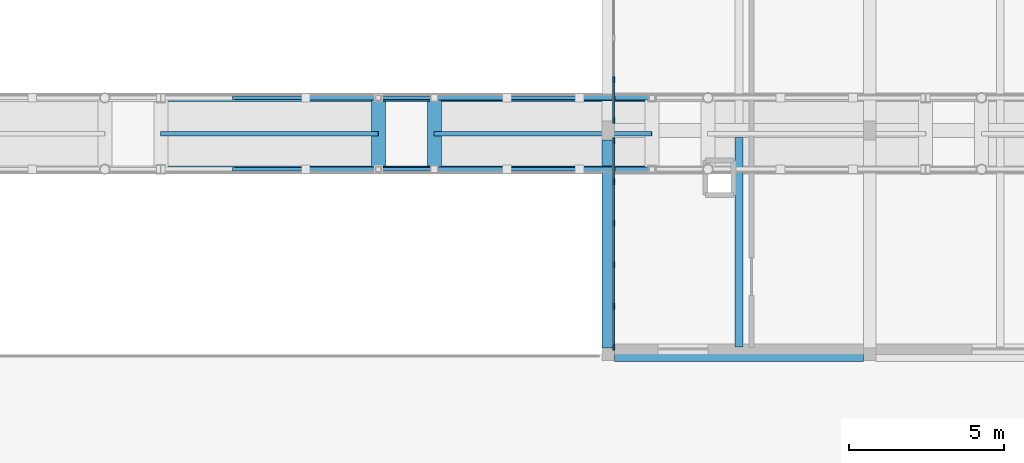
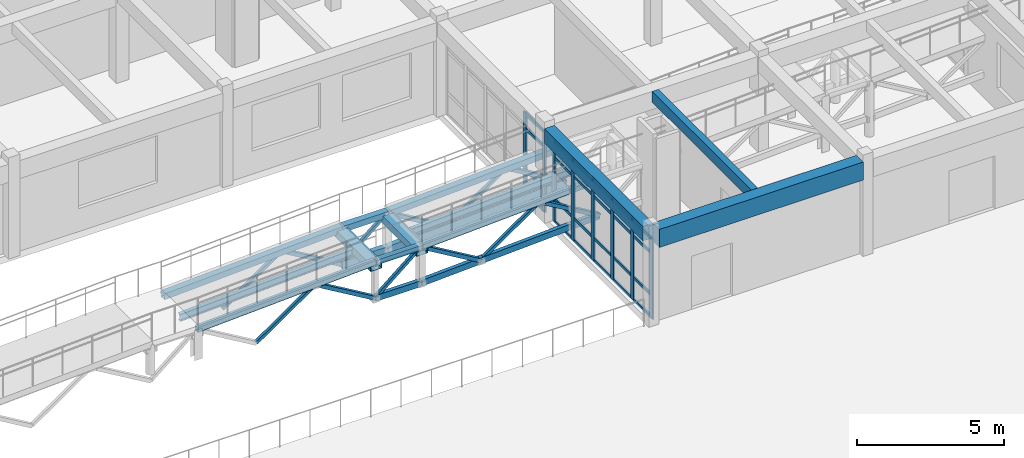
# One storey, part 32 of 90: 54 members, 7 beams, 2 elements without a shape of their own.
"""IFC4 building model written with IfcOpenShell, lengths in metres."""

from ifc_helpers import new_model, si_unit, direction, frame, origin, origin_2d, place, context, subcontext, project, spatial, rectangle, hollow_rectangle, i_section, extrude, material, material_profile, profile_set, type_object, element, aggregate, save


model = new_model("IFC4")

# Units and contexts
model_context = context("Model", 3, precision=1e-05, world=origin(), true_north=direction((0.0, 1.0)))
body_context = subcontext(model_context, "Body", "Model", "MODEL_VIEW")
ifc_project = project(units=[si_unit("LENGTHUNIT", "METRE"), si_unit("AREAUNIT", "SQUARE_METRE"), si_unit("VOLUMEUNIT", "CUBIC_METRE"), si_unit("PLANEANGLEUNIT", "RADIAN"), si_unit("MASSUNIT", "GRAM", prefix="KILO")], contexts=[model_context])

# Site, building, storey
site_placement = place(None, origin())
site = spatial("IfcSite", under=ifc_project, at=site_placement, CompositionType="ELEMENT")
building_placement = place(site_placement, origin())
building = spatial("IfcBuilding", under=site, at=building_placement, Name="Malvenik Polytechnic", CompositionType="ELEMENT")
storey_placement = place(building_placement, frame((0.0, 0.0, 9.300048828125)))
storey = spatial("IfcBuildingStorey", under=building, at=storey_placement, Name="L02", CompositionType="ELEMENT", Elevation=9.300048828125)

# Curtain wall, members
ifc_material_1 = material(Name="Anodised aluminium 6060-T6", Category="aluminium")
curtain_wall_type = type_object("IfcCurtainWallType", Name="ARC-CW-CW-06", PredefinedType="NOTDEFINED", material=ifc_material_1)
curtain_wall_1_placement = place(storey_placement, origin())
curtain_wall_1 = element("IfcCurtainWall", 1, at=curtain_wall_1_placement, inside=storey, type_object=curtain_wall_type, Name="Unitised Curtain Wall CW-06 L02 #136", PredefinedType="NOTDEFINED")
ifc_material_2 = material(Name="Anodised aluminium", Category="aluminium")
ifc_material_profile_1 = material_profile(ifc_material_2, rectangle(XDim=0.06005859375, YDim=0.179931640625, at=origin_2d()), Name="ALU MULLION 60x180")
ifc_profile_set_1 = profile_set([ifc_material_profile_1], Name="Anodised aluminium")
member_type_1 = type_object("IfcMemberType", Name="ARC-CWM-180", PredefinedType="MULLION", material=ifc_profile_set_1)
member_1_placement = place(storey_placement, frame((75.77001953125, 43.528076171875, 0.0), z_axis=(0.0, 0.0, 1.0), x_axis=(-1.0, 0.0, 0.0)))
member_1 = element("IfcMember", 2, at=member_1_placement, type_object=member_type_1, Name="CW-06 mullion 1", PredefinedType="MULLION", context=body_context, shape_type="SweptSolid", body=[
    extrude(rectangle(XDim=0.06005859375, YDim=0.179931640625, at=origin_2d()), origin(), (0.0, 0.0, 1.0), 3.329833984375),
])
member_2_placement = place(storey_placement, frame((75.77001953125, 44.833740234375, 0.0), z_axis=(0.0, 0.0, 1.0), x_axis=(-1.0, 0.0, 0.0)))
member_2 = element("IfcMember", 3, at=member_2_placement, type_object=member_type_1, Name="CW-06 mullion 2", PredefinedType="MULLION", context=body_context, shape_type="SweptSolid", body=[
    extrude(rectangle(XDim=0.06005859375, YDim=0.179931640625, at=origin_2d()), origin(), (0.0, 0.0, 1.0), 3.329833984375),
])

curtain_wall_2_placement = place(storey_placement, origin())
curtain_wall_2 = element("IfcCurtainWall", 4, at=curtain_wall_2_placement, inside=storey, type_object=curtain_wall_type, Name="Unitised Curtain Wall CW-06 L02 #135", PredefinedType="NOTDEFINED")
ifc_material_profile_2 = material_profile(ifc_material_2, rectangle(XDim=0.06005859375, YDim=0.199951171875, at=origin_2d()), Name="ALU MULLION 60x200")
ifc_profile_set_2 = profile_set([ifc_material_profile_2], Name="Anodised aluminium")
member_type_2 = type_object("IfcMemberType", Name="ARC-CWM-200", PredefinedType="MULLION", material=ifc_profile_set_2)
member_3_placement = place(storey_placement, frame((75.77001953125, 36.22802734375, 0.0), z_axis=(0.0, 0.0, 1.0), x_axis=(-1.0, 0.0, 0.0)))
member_3 = element("IfcMember", 5, at=member_3_placement, type_object=member_type_2, Name="CW-06 mullion 1", PredefinedType="MULLION", context=body_context, shape_type="SweptSolid", body=[
    extrude(rectangle(XDim=0.06005859375, YDim=0.199951171875, at=origin_2d()), origin(), (0.0, 0.0, 1.0), 3.329833984375),
])
member_4_placement = place(storey_placement, frame((75.77001953125, 37.538818359375, 0.0), z_axis=(0.0, 0.0, 1.0), x_axis=(-1.0, 0.0, 0.0)))
member_4 = element("IfcMember", 6, at=member_4_placement, type_object=member_type_2, Name="CW-06 mullion 2", PredefinedType="MULLION", context=body_context, shape_type="SweptSolid", body=[
    extrude(rectangle(XDim=0.06005859375, YDim=0.199951171875, at=origin_2d()), origin(), (0.0, 0.0, 1.0), 3.329833984375),
])
member_5_placement = place(storey_placement, frame((75.77001953125, 38.879638671875, 0.0), z_axis=(0.0, 0.0, 1.0), x_axis=(-1.0, 0.0, 0.0)))
member_5 = element("IfcMember", 7, at=member_5_placement, type_object=member_type_2, Name="CW-06 mullion 3", PredefinedType="MULLION", context=body_context, shape_type="SweptSolid", body=[
    extrude(rectangle(XDim=0.06005859375, YDim=0.199951171875, at=origin_2d()), origin(), (0.0, 0.0, 1.0), 3.329833984375),
])
member_6_placement = place(storey_placement, frame((75.77001953125, 40.220458984375, 0.0), z_axis=(0.0, 0.0, 1.0), x_axis=(-1.0, 0.0, 0.0)))
member_6 = element("IfcMember", 8, at=member_6_placement, type_object=member_type_2, Name="CW-06 mullion 4", PredefinedType="MULLION", context=body_context, shape_type="SweptSolid", body=[
    extrude(rectangle(XDim=0.06005859375, YDim=0.199951171875, at=origin_2d()), origin(), (0.0, 0.0, 1.0), 3.329833984375),
])
member_7_placement = place(storey_placement, frame((75.77001953125, 41.561279296875, 0.0), z_axis=(0.0, 0.0, 1.0), x_axis=(-1.0, 0.0, 0.0)))
member_7 = element("IfcMember", 9, at=member_7_placement, type_object=member_type_2, Name="CW-06 mullion 5", PredefinedType="MULLION", context=body_context, shape_type="SweptSolid", body=[
    extrude(rectangle(XDim=0.06005859375, YDim=0.199951171875, at=origin_2d()), origin(), (0.0, 0.0, 1.0), 3.329833984375),
])
member_8_placement = place(storey_placement, frame((75.77001953125, 42.8720703125, 0.0), z_axis=(0.0, 0.0, 1.0), x_axis=(-1.0, 0.0, 0.0)))
member_8 = element("IfcMember", 10, at=member_8_placement, type_object=member_type_2, Name="CW-06 mullion 6", PredefinedType="MULLION", context=body_context, shape_type="SweptSolid", body=[
    extrude(rectangle(XDim=0.06005859375, YDim=0.199951171875, at=origin_2d()), origin(), (0.0, 0.0, 1.0), 3.329833984375),
])
ifc_material_profile_3 = material_profile(ifc_material_2, rectangle(XDim=0.06005859375, YDim=0.1201171875, at=origin_2d()), Name="ALU TRANSOM 60x120")
ifc_profile_set_3 = profile_set([ifc_material_profile_3], Name="Anodised aluminium")
member_type_3 = type_object("IfcMemberType", Name="ARC-CWT-120", PredefinedType="USERDEFINED", material=ifc_profile_set_3)
member_9_placement = place(storey_placement, frame((75.77001953125, 36.258056640625, 0.030029296875), z_axis=(0.0, 1.0, 0.0), x_axis=(-1.0, 0.0, 0.0)))
member_9 = element("IfcMember", 11, at=member_9_placement, type_object=member_type_3, Name="CW-06 transom 1.1", ObjectType="TRANSOM", PredefinedType="USERDEFINED", context=body_context, shape_type="SweptSolid", body=[
    extrude(rectangle(XDim=0.06005859375, YDim=0.1201171875, at=origin_2d()), origin(), (0.0, 0.0, 1.0), 1.250732421875),
])
member_10_placement = place(storey_placement, frame((75.77001953125, 36.258056640625, 0.949951171875), z_axis=(0.0, 1.0, 0.0), x_axis=(-1.0, 0.0, 0.0)))
member_10 = element("IfcMember", 12, at=member_10_placement, type_object=member_type_3, Name="CW-06 transom 1.2", ObjectType="TRANSOM", PredefinedType="USERDEFINED", context=body_context, shape_type="SweptSolid", body=[
    extrude(rectangle(XDim=0.06005859375, YDim=0.1201171875, at=origin_2d()), origin(), (0.0, 0.0, 1.0), 1.250732421875),
])
member_11_placement = place(storey_placement, frame((75.77001953125, 36.258056640625, 2.679931640625), z_axis=(0.0, 1.0, 0.0), x_axis=(-1.0, 0.0, 0.0)))
member_11 = element("IfcMember", 13, at=member_11_placement, type_object=member_type_3, Name="CW-06 transom 1.3", ObjectType="TRANSOM", PredefinedType="USERDEFINED", context=body_context, shape_type="SweptSolid", body=[
    extrude(rectangle(XDim=0.06005859375, YDim=0.1201171875, at=origin_2d()), origin(), (0.0, 0.0, 1.0), 1.250732421875),
])
member_12_placement = place(storey_placement, frame((75.77001953125, 36.258056640625, 3.300048828125), z_axis=(0.0, 1.0, 0.0), x_axis=(-1.0, 0.0, 0.0)))
member_12 = element("IfcMember", 14, at=member_12_placement, type_object=member_type_3, Name="CW-06 transom 1.4", ObjectType="TRANSOM", PredefinedType="USERDEFINED", context=body_context, shape_type="SweptSolid", body=[
    extrude(rectangle(XDim=0.06005859375, YDim=0.1201171875, at=origin_2d()), origin(), (0.0, 0.0, 1.0), 1.250732421875),
])
member_13_placement = place(storey_placement, frame((75.77001953125, 37.56884765625, 0.030029296875), z_axis=(0.0, 1.0, 0.0), x_axis=(-1.0, 0.0, 0.0)))
member_13 = element("IfcMember", 15, at=member_13_placement, type_object=member_type_3, Name="CW-06 transom 2.1", ObjectType="TRANSOM", PredefinedType="USERDEFINED", context=body_context, shape_type="SweptSolid", body=[
    extrude(rectangle(XDim=0.06005859375, YDim=0.1201171875, at=origin_2d()), origin(), (0.0, 0.0, 1.0), 1.28076171875),
])
member_14_placement = place(storey_placement, frame((75.77001953125, 37.56884765625, 0.949951171875), z_axis=(0.0, 1.0, 0.0), x_axis=(-1.0, 0.0, 0.0)))
member_14 = element("IfcMember", 16, at=member_14_placement, type_object=member_type_3, Name="CW-06 transom 2.2", ObjectType="TRANSOM", PredefinedType="USERDEFINED", context=body_context, shape_type="SweptSolid", body=[
    extrude(rectangle(XDim=0.06005859375, YDim=0.1201171875, at=origin_2d()), origin(), (0.0, 0.0, 1.0), 1.28076171875),
])
member_15_placement = place(storey_placement, frame((75.77001953125, 37.56884765625, 2.679931640625), z_axis=(0.0, 1.0, 0.0), x_axis=(-1.0, 0.0, 0.0)))
member_15 = element("IfcMember", 17, at=member_15_placement, type_object=member_type_3, Name="CW-06 transom 2.3", ObjectType="TRANSOM", PredefinedType="USERDEFINED", context=body_context, shape_type="SweptSolid", body=[
    extrude(rectangle(XDim=0.06005859375, YDim=0.1201171875, at=origin_2d()), origin(), (0.0, 0.0, 1.0), 1.28076171875),
])
member_16_placement = place(storey_placement, frame((75.77001953125, 37.56884765625, 3.300048828125), z_axis=(0.0, 1.0, 0.0), x_axis=(-1.0, 0.0, 0.0)))
member_16 = element("IfcMember", 18, at=member_16_placement, type_object=member_type_3, Name="CW-06 transom 2.4", ObjectType="TRANSOM", PredefinedType="USERDEFINED", context=body_context, shape_type="SweptSolid", body=[
    extrude(rectangle(XDim=0.06005859375, YDim=0.1201171875, at=origin_2d()), origin(), (0.0, 0.0, 1.0), 1.28076171875),
])
member_17_placement = place(storey_placement, frame((75.77001953125, 38.90966796875, 0.030029296875), z_axis=(0.0, 1.0, 0.0), x_axis=(-1.0, 0.0, 0.0)))
member_17 = element("IfcMember", 19, at=member_17_placement, type_object=member_type_3, Name="CW-06 transom 3.1", ObjectType="TRANSOM", PredefinedType="USERDEFINED", context=body_context, shape_type="SweptSolid", body=[
    extrude(rectangle(XDim=0.06005859375, YDim=0.1201171875, at=origin_2d()), origin(), (0.0, 0.0, 1.0), 1.28076171875),
])
member_18_placement = place(storey_placement, frame((75.77001953125, 38.90966796875, 0.949951171875), z_axis=(0.0, 1.0, 0.0), x_axis=(-1.0, 0.0, 0.0)))
member_18 = element("IfcMember", 20, at=member_18_placement, type_object=member_type_3, Name="CW-06 transom 3.2", ObjectType="TRANSOM", PredefinedType="USERDEFINED", context=body_context, shape_type="SweptSolid", body=[
    extrude(rectangle(XDim=0.06005859375, YDim=0.1201171875, at=origin_2d()), origin(), (0.0, 0.0, 1.0), 1.28076171875),
])
member_19_placement = place(storey_placement, frame((75.77001953125, 38.90966796875, 2.679931640625), z_axis=(0.0, 1.0, 0.0), x_axis=(-1.0, 0.0, 0.0)))
member_19 = element("IfcMember", 21, at=member_19_placement, type_object=member_type_3, Name="CW-06 transom 3.3", ObjectType="TRANSOM", PredefinedType="USERDEFINED", context=body_context, shape_type="SweptSolid", body=[
    extrude(rectangle(XDim=0.06005859375, YDim=0.1201171875, at=origin_2d()), origin(), (0.0, 0.0, 1.0), 1.28076171875),
])
member_20_placement = place(storey_placement, frame((75.77001953125, 38.90966796875, 3.300048828125), z_axis=(0.0, 1.0, 0.0), x_axis=(-1.0, 0.0, 0.0)))
member_20 = element("IfcMember", 22, at=member_20_placement, type_object=member_type_3, Name="CW-06 transom 3.4", ObjectType="TRANSOM", PredefinedType="USERDEFINED", context=body_context, shape_type="SweptSolid", body=[
    extrude(rectangle(XDim=0.06005859375, YDim=0.1201171875, at=origin_2d()), origin(), (0.0, 0.0, 1.0), 1.28076171875),
])
member_21_placement = place(storey_placement, frame((75.77001953125, 40.25048828125, 0.030029296875), z_axis=(0.0, 1.0, 0.0), x_axis=(-1.0, 0.0, 0.0)))
member_21 = element("IfcMember", 23, at=member_21_placement, type_object=member_type_3, Name="CW-06 transom 4.1", ObjectType="TRANSOM", PredefinedType="USERDEFINED", context=body_context, shape_type="SweptSolid", body=[
    extrude(rectangle(XDim=0.06005859375, YDim=0.1201171875, at=origin_2d()), origin(), (0.0, 0.0, 1.0), 1.28076171875),
])
member_22_placement = place(storey_placement, frame((75.77001953125, 40.25048828125, 0.949951171875), z_axis=(0.0, 1.0, 0.0), x_axis=(-1.0, 0.0, 0.0)))
member_22 = element("IfcMember", 24, at=member_22_placement, type_object=member_type_3, Name="CW-06 transom 4.2", ObjectType="TRANSOM", PredefinedType="USERDEFINED", context=body_context, shape_type="SweptSolid", body=[
    extrude(rectangle(XDim=0.06005859375, YDim=0.1201171875, at=origin_2d()), origin(), (0.0, 0.0, 1.0), 1.28076171875),
])
member_23_placement = place(storey_placement, frame((75.77001953125, 40.25048828125, 2.679931640625), z_axis=(0.0, 1.0, 0.0), x_axis=(-1.0, 0.0, 0.0)))
member_23 = element("IfcMember", 25, at=member_23_placement, type_object=member_type_3, Name="CW-06 transom 4.3", ObjectType="TRANSOM", PredefinedType="USERDEFINED", context=body_context, shape_type="SweptSolid", body=[
    extrude(rectangle(XDim=0.06005859375, YDim=0.1201171875, at=origin_2d()), origin(), (0.0, 0.0, 1.0), 1.28076171875),
])
member_24_placement = place(storey_placement, frame((75.77001953125, 40.25048828125, 3.300048828125), z_axis=(0.0, 1.0, 0.0), x_axis=(-1.0, 0.0, 0.0)))
member_24 = element("IfcMember", 26, at=member_24_placement, type_object=member_type_3, Name="CW-06 transom 4.4", ObjectType="TRANSOM", PredefinedType="USERDEFINED", context=body_context, shape_type="SweptSolid", body=[
    extrude(rectangle(XDim=0.06005859375, YDim=0.1201171875, at=origin_2d()), origin(), (0.0, 0.0, 1.0), 1.28076171875),
])
member_25_placement = place(storey_placement, frame((75.77001953125, 41.59130859375, 0.030029296875), z_axis=(0.0, 1.0, 0.0), x_axis=(-1.0, 0.0, 0.0)))
member_25 = element("IfcMember", 27, at=member_25_placement, type_object=member_type_3, Name="CW-06 transom 5.1", ObjectType="TRANSOM", PredefinedType="USERDEFINED", context=body_context, shape_type="SweptSolid", body=[
    extrude(rectangle(XDim=0.06005859375, YDim=0.1201171875, at=origin_2d()), origin(), (0.0, 0.0, 1.0), 1.250732421875),
])
member_26_placement = place(storey_placement, frame((75.77001953125, 41.59130859375, 0.949951171875), z_axis=(0.0, 1.0, 0.0), x_axis=(-1.0, 0.0, 0.0)))
member_26 = element("IfcMember", 28, at=member_26_placement, type_object=member_type_3, Name="CW-06 transom 5.2", ObjectType="TRANSOM", PredefinedType="USERDEFINED", context=body_context, shape_type="SweptSolid", body=[
    extrude(rectangle(XDim=0.06005859375, YDim=0.1201171875, at=origin_2d()), origin(), (0.0, 0.0, 1.0), 1.250732421875),
])
member_27_placement = place(storey_placement, frame((75.77001953125, 41.59130859375, 2.679931640625), z_axis=(0.0, 1.0, 0.0), x_axis=(-1.0, 0.0, 0.0)))
member_27 = element("IfcMember", 29, at=member_27_placement, type_object=member_type_3, Name="CW-06 transom 5.3", ObjectType="TRANSOM", PredefinedType="USERDEFINED", context=body_context, shape_type="SweptSolid", body=[
    extrude(rectangle(XDim=0.06005859375, YDim=0.1201171875, at=origin_2d()), origin(), (0.0, 0.0, 1.0), 1.250732421875),
])
member_28_placement = place(storey_placement, frame((75.77001953125, 41.59130859375, 3.300048828125), z_axis=(0.0, 1.0, 0.0), x_axis=(-1.0, 0.0, 0.0)))
member_28 = element("IfcMember", 30, at=member_28_placement, type_object=member_type_3, Name="CW-06 transom 5.4", ObjectType="TRANSOM", PredefinedType="USERDEFINED", context=body_context, shape_type="SweptSolid", body=[
    extrude(rectangle(XDim=0.06005859375, YDim=0.1201171875, at=origin_2d()), origin(), (0.0, 0.0, 1.0), 1.250732421875),
])
aggregate(curtain_wall_2, [member_3, member_4, member_5, member_6, member_7, member_8, member_9, member_10, member_11, member_12, member_13, member_14, member_15, member_16, member_17, member_18, member_19, member_20, member_21, member_22, member_23, member_24, member_25, member_26, member_27, member_28])

# Member
ifc_material_profile_4 = material_profile(ifc_material_2, rectangle(XDim=0.06005859375, YDim=0.139892578125, at=origin_2d()), Name="ALU TRANSOM 60x140")
ifc_profile_set_4 = profile_set([ifc_material_profile_4], Name="Anodised aluminium")
member_type_4 = type_object("IfcMemberType", Name="ARC-CWT-140", PredefinedType="USERDEFINED", material=ifc_profile_set_4)
member_29_placement = place(storey_placement, frame((75.77001953125, 43.55810546875, 0.030029296875), z_axis=(0.0, 1.0, 0.0), x_axis=(-1.0, 0.0, 0.0)))
member_29 = element("IfcMember", 31, at=member_29_placement, type_object=member_type_4, Name="CW-06 transom 1.1", ObjectType="TRANSOM", PredefinedType="USERDEFINED", context=body_context, shape_type="SweptSolid", body=[
    extrude(rectangle(XDim=0.06005859375, YDim=0.139892578125, at=origin_2d()), origin(), (0.0, 0.0, 1.0), 1.24560546875),
])

member_30_placement = place(storey_placement, frame((75.77001953125, 43.55810546875, 0.949951171875), z_axis=(0.0, 1.0, 0.0), x_axis=(-1.0, 0.0, 0.0)))
member_30 = element("IfcMember", 32, at=member_30_placement, type_object=member_type_4, Name="CW-06 transom 1.2", ObjectType="TRANSOM", PredefinedType="USERDEFINED", context=body_context, shape_type="SweptSolid", body=[
    extrude(rectangle(XDim=0.06005859375, YDim=0.139892578125, at=origin_2d()), origin(), (0.0, 0.0, 1.0), 1.24560546875),
])

member_31_placement = place(storey_placement, frame((75.77001953125, 43.55810546875, 2.679931640625), z_axis=(0.0, 1.0, 0.0), x_axis=(-1.0, 0.0, 0.0)))
member_31 = element("IfcMember", 33, at=member_31_placement, type_object=member_type_4, Name="CW-06 transom 1.3", ObjectType="TRANSOM", PredefinedType="USERDEFINED", context=body_context, shape_type="SweptSolid", body=[
    extrude(rectangle(XDim=0.06005859375, YDim=0.139892578125, at=origin_2d()), origin(), (0.0, 0.0, 1.0), 1.24560546875),
])

member_32_placement = place(storey_placement, frame((75.77001953125, 43.55810546875, 3.300048828125), z_axis=(0.0, 1.0, 0.0), x_axis=(-1.0, 0.0, 0.0)))
member_32 = element("IfcMember", 34, at=member_32_placement, type_object=member_type_4, Name="CW-06 transom 1.4", ObjectType="TRANSOM", PredefinedType="USERDEFINED", context=body_context, shape_type="SweptSolid", body=[
    extrude(rectangle(XDim=0.06005859375, YDim=0.139892578125, at=origin_2d()), origin(), (0.0, 0.0, 1.0), 1.24560546875),
])

aggregate(curtain_wall_1, [member_1, member_2, member_29, member_30, member_31, member_32])

# Beams
ifc_material_3 = material(Name="Concrete C35/45", Category="concrete")
ifc_material_profile_5 = material_profile(ifc_material_3, rectangle(XDim=0.39990234375, YDim=0.60009765625, at=origin_2d()), Name="RC BM 400x600")
ifc_profile_set_5 = profile_set([ifc_material_profile_5], Name="Concrete C35/45")
beam_type_1 = type_object("IfcBeamType", Name="STR-BM-B-06", PredefinedType="BEAM", material=ifc_profile_set_5)
beam_1_placement = place(storey_placement, frame((75.60009765625, 36.197998046875, 3.639892578125), z_axis=(0.0, 1.0, 0.0), x_axis=(-1.0, 0.0, 0.0)))
element("IfcBeam", 35, at=beam_1_placement, inside=storey, type_object=beam_type_1, Name="Transverse Beam B-06 L02 #1507", PredefinedType="BEAM", context=body_context, shape_type="SweptSolid", body=[
    extrude(rectangle(XDim=0.39990234375, YDim=0.60009765625, at=origin_2d()), origin(), (0.0, 0.0, 1.0), 6.7041015625),
])
ifc_material_4 = material(Name="Concrete C30/37", Category="concrete")
ifc_material_profile_6 = material_profile(ifc_material_4, rectangle(XDim=0.25, YDim=0.449951171875, at=origin_2d()), Name="RC JST 250x450")
ifc_profile_set_6 = profile_set([ifc_material_profile_6], Name="Concrete C30/37")
beam_type_2 = type_object("IfcBeamType", Name="STR-BM-J-02", PredefinedType="JOIST", material=ifc_profile_set_6)
beam_2_placement = place(storey_placement, frame((79.800048828125, 36.22802734375, 3.71484375), z_axis=(0.0, 1.0, 0.0), x_axis=(-1.0, 0.0, 0.0)))
element("IfcBeam", 36, at=beam_2_placement, inside=storey, type_object=beam_type_2, Name="Secondary Rib Joist J-02 L02 #1590", PredefinedType="JOIST", context=body_context, shape_type="SweptSolid", body=[
    extrude(rectangle(XDim=0.25, YDim=0.449951171875, at=origin_2d()), origin(), (0.0, 0.0, 1.0), 6.7490234375),
])
ifc_material_5 = material(Name="Steel S355J2H", Category="steel")
ifc_material_profile_7 = material_profile(ifc_material_5, hollow_rectangle(XDim=0.449951171875, YDim=0.300048828125, WallThickness=0.012451171875, at=origin_2d()), Name="RHS 450x300x12.5")
ifc_profile_set_7 = profile_set([ifc_material_profile_7], Name="Steel S355J2H")
beam_type_3 = type_object("IfcBeamType", Name="STR-BM-SB-07", PredefinedType="BEAM", material=ifc_profile_set_7)
for number, where, z_axis, x_axis, name in (
    (37, (68.199951171875, 41.85009765625, 1.3818359375), (0.0, 1.0, 0.0), (-1.0, 0.0, 0.0), "Ramp Joint Transom RB-01 #9"),
    (38, (70.0, 41.85009765625, 1.3818359375), (0.0, 1.0, 0.0), (-1.0, 0.0, 0.0), "Ramp Joint Transom RB-01 #10"),
):
    element("IfcBeam", number, at=place(storey_placement, frame(where, z_axis=z_axis, x_axis=x_axis)), inside=storey, type_object=beam_type_3, Name=name, PredefinedType="BEAM", context=body_context, shape_type="SweptSolid", body=[
        extrude(hollow_rectangle(XDim=0.449951171875, YDim=0.300048828125, WallThickness=0.012451171875, at=origin_2d()), origin(), (0.0, 0.0, 1.0), 2.5),
    ])
ifc_material_6 = material(Name="Steel S355", Category="steel")
ifc_material_profile_8 = material_profile(ifc_material_6, i_section(OverallWidth=0.14990234375, OverallDepth=0.300048828125, WebThickness=0.007080078125, FlangeThickness=0.0107421875, FilletRadius=0.014892578125, at=origin_2d()), Name="IPE 300")
ifc_profile_set_8 = profile_set([ifc_material_profile_8], Name="Steel S355")
beam_type_4 = type_object("IfcBeamType", Name="STR-BM-SB-09", PredefinedType="JOIST", material=ifc_profile_set_8)
for number, where, z_axis, x_axis, name in (
    (39, (61.199951171875, 43.10009765625, 0.974853515625), (0.998751643845, 0.0, 0.049951515669), (0.0, 1.0, 0.0), "Ramp Centreline Stringer RB-01 #8"),
    (40, (70.0, 43.10009765625, 1.324951171875), (0.998751643845, 0.0, 0.049951515669), (0.0, 1.0, 0.0), "Ramp Centreline Stringer RB-01 #10"),
):
    element("IfcBeam", number, at=place(storey_placement, frame(where, z_axis=z_axis, x_axis=x_axis)), inside=storey, type_object=beam_type_4, Name=name, PredefinedType="JOIST", context=body_context, shape_type="SweptSolid", body=[
        extrude(i_section(OverallWidth=0.14990234375, OverallDepth=0.300048828125, WebThickness=0.007080078125, FlangeThickness=0.0107421875, FilletRadius=0.014892578125, at=origin_2d()), origin(), (0.0, 0.0, 1.0), 7.0087890625),
    ])
ifc_material_7 = material(Name="Precast concrete C40/50", Category="concrete")
ifc_material_profile_9 = material_profile(ifc_material_7, rectangle(XDim=0.4599609375, YDim=0.75, at=origin_2d()), Name="PC SPN 460x750")
ifc_profile_set_9 = profile_set([ifc_material_profile_9], Name="Precast concrete C40/50")
beam_type_5 = type_object("IfcBeamType", Name="STR-BM-SP-02", PredefinedType="SPANDREL", material=ifc_profile_set_9)
beam_3_placement = place(storey_placement, frame((75.798095703125, 36.0, 3.56494140625), z_axis=(1.0, 0.0, 0.0), x_axis=(0.0, 1.0, 0.0)))
element("IfcBeam", 41, at=beam_3_placement, inside=storey, type_object=beam_type_5, Name="Primary Beam SP-02 L02 #1331", PredefinedType="SPANDREL", context=body_context, shape_type="SweptSolid", body=[
    extrude(rectangle(XDim=0.4599609375, YDim=0.75, at=origin_2d()), origin(), (0.0, 0.0, 1.0), 8.00390625),
])

# Members
ifc_material_profile_10 = material_profile(ifc_material_5, hollow_rectangle(XDim=0.14990234375, YDim=0.25, WallThickness=0.010009765625, at=origin_2d()), Name="RHS 250x150x10.0")
ifc_profile_set_10 = profile_set([ifc_material_profile_10], Name="Steel S355J2H")
member_type_5 = type_object("IfcMemberType", Name="STR-MEM-TRB-01", PredefinedType="CHORD", material=ifc_profile_set_10)
member_33_placement = place(storey_placement, frame((68.2041015625, 41.949951171875, 0.030029296875), z_axis=(1.0, 0.0, 0.0), x_axis=(0.0, 1.0, 0.0)))
element("IfcMember", 42, at=member_33_placement, inside=storey, type_object=member_type_5, Name="Space-Frame Tube TRB-01 STR-TR-BC-RB-01-1-09", PredefinedType="CHORD", context=body_context, shape_type="SweptSolid", body=[
    extrude(hollow_rectangle(XDim=0.14990234375, YDim=0.25, WallThickness=0.010009765625, at=origin_2d()), origin(), (0.0, 0.0, 1.0), 1.7919921875),
])
member_34_placement = place(storey_placement, frame((70.00390625, 41.949951171875, 0.030029296875), z_axis=(0.998752338878, 0.0, 0.049937616944), x_axis=(0.0, 1.0, 0.0)))
element("IfcMember", 43, at=member_34_placement, inside=storey, type_object=member_type_5, Name="Space-Frame Tube TRB-01 STR-TR-BC-RB-01-1-10", PredefinedType="CHORD", context=body_context, shape_type="SweptSolid", body=[
    extrude(hollow_rectangle(XDim=0.14990234375, YDim=0.25, WallThickness=0.010009765625, at=origin_2d()), origin(), (0.0, 0.0, 1.0), 7.0009765625),
])
ifc_material_profile_11 = material_profile(ifc_material_5, hollow_rectangle(XDim=0.199951171875, YDim=0.300048828125, WallThickness=0.010009765625, at=origin_2d()), Name="RHS 300x200x10.0")
ifc_profile_set_11 = profile_set([ifc_material_profile_11], Name="Steel S355J2H")
member_type_6 = type_object("IfcMemberType", Name="STR-MEM-TRB-02", PredefinedType="CHORD", material=ifc_profile_set_11)
member_35_placement = place(storey_placement, frame((68.2041015625, 44.25, 0.030029296875), z_axis=(1.0, 0.0, 0.0), x_axis=(0.0, 1.0, 0.0)))
element("IfcMember", 44, at=member_35_placement, inside=storey, type_object=member_type_6, Name="Space-Frame Tube TRB-02 STR-TR-BC-RB-01-2-09", PredefinedType="CHORD", context=body_context, shape_type="SweptSolid", body=[
    extrude(hollow_rectangle(XDim=0.199951171875, YDim=0.300048828125, WallThickness=0.010009765625, at=origin_2d()), origin(), (0.0, 0.0, 1.0), 1.7919921875),
])
member_36_placement = place(storey_placement, frame((70.00390625, 44.25, 0.030029296875), z_axis=(0.998752338878, 0.0, 0.049937616944), x_axis=(0.0, 1.0, 0.0)))
element("IfcMember", 45, at=member_36_placement, inside=storey, type_object=member_type_6, Name="Space-Frame Tube TRB-02 STR-TR-BC-RB-01-2-10", PredefinedType="CHORD", context=body_context, shape_type="SweptSolid", body=[
    extrude(hollow_rectangle(XDim=0.199951171875, YDim=0.300048828125, WallThickness=0.010009765625, at=origin_2d()), origin(), (0.0, 0.0, 1.0), 7.0009765625),
])
ifc_material_profile_12 = material_profile(ifc_material_5, hollow_rectangle(XDim=0.14990234375, YDim=0.14990234375, WallThickness=0.008056640625, at=origin_2d()), Name="SHS 150x150x8.0")
ifc_profile_set_12 = profile_set([ifc_material_profile_12], Name="Steel S355J2H")
member_type_7 = type_object("IfcMemberType", Name="STR-MEM-TRD-01", PredefinedType="BRACE", material=ifc_profile_set_12)
for number, where, z_axis, x_axis, name in (
    (46, (65.8701171875, 41.949951171875, 1.4111328125), (0.860205006447, 0.0, -0.509948376684), (0.0, 1.0, 0.0), "Space-Frame Tube TRD-01 STR-TRD-03-RB-01-1-08"),
    (47, (70.00341796875, 41.949951171875, 1.52783203125), (0.860205006447, 0.0, -0.509948376684), (0.0, 1.0, 0.0), "Space-Frame Tube TRD-01 STR-TRD-01-RB-01-1-10"),
    (48, (74.670166015625, 41.949951171875, 1.76123046875), (0.860165406805, 0.0, -0.51001516932), (0.0, 1.0, 0.0), "Space-Frame Tube TRD-01 STR-TRD-03-RB-01-1-10"),
    (49, (65.8701171875, 44.25, 1.4111328125), (0.860205006447, 0.0, -0.509948376684), (0.0, 1.0, 0.0), "Space-Frame Tube TRD-01 STR-TRD-03-RB-01-2-08"),
    (50, (70.00341796875, 44.25, 1.52783203125), (0.860205006447, 0.0, -0.509948376684), (0.0, 1.0, 0.0), "Space-Frame Tube TRD-01 STR-TRD-01-RB-01-2-10"),
    (51, (74.670166015625, 44.25, 1.76123046875), (0.860165406805, 0.0, -0.51001516932), (0.0, 1.0, 0.0), "Space-Frame Tube TRD-01 STR-TRD-03-RB-01-2-10"),
):
    element("IfcMember", number, at=place(storey_placement, frame(where, z_axis=z_axis, x_axis=x_axis)), inside=storey, type_object=member_type_7, Name=name, PredefinedType="BRACE", context=body_context, shape_type="SweptSolid", body=[
        extrude(hollow_rectangle(XDim=0.14990234375, YDim=0.14990234375, WallThickness=0.008056640625, at=origin_2d()), origin(), (0.0, 0.0, 1.0), 2.70458984375),
    ])
ifc_material_profile_13 = material_profile(ifc_material_5, hollow_rectangle(XDim=0.1201171875, YDim=0.1201171875, WallThickness=0.00634765625, at=origin_2d()), Name="SHS 120x120x6.3")
ifc_profile_set_13 = profile_set([ifc_material_profile_13], Name="Steel S355J2H")
member_type_8 = type_object("IfcMemberType", Name="STR-MEM-TRD-02", PredefinedType="BRACE", material=ifc_profile_set_13)
member_37_placement = place(storey_placement, frame((63.53662109375, 41.949951171875, -0.200927734375), z_axis=(0.822018261481, 0.0, 0.569461129307), x_axis=(0.0, 1.0, 0.0)))
element("IfcMember", 52, at=member_37_placement, inside=storey, type_object=member_type_8, Name="Space-Frame Tube TRD-02 STR-TRD-02-RB-01-1-08", PredefinedType="BRACE", context=body_context, shape_type="SweptSolid", body=[
    extrude(hollow_rectangle(XDim=0.1201171875, YDim=0.1201171875, WallThickness=0.00634765625, at=origin_2d()), origin(), (0.0, 0.0, 1.0), 2.830322265625),
])
member_38_placement = place(storey_placement, frame((68.203125, 41.949951171875, 0.032470703125), z_axis=(0.768195567728, 0.0, 0.640215252647), x_axis=(0.0, 1.0, 0.0)))
element("IfcMember", 53, at=member_38_placement, inside=storey, type_object=member_type_8, Name="Space-Frame Tube TRD-02 STR-TR-DGL-RB-01-1-09", PredefinedType="BRACE", context=body_context, shape_type="SweptSolid", body=[
    extrude(hollow_rectangle(XDim=0.1201171875, YDim=0.1201171875, WallThickness=0.00634765625, at=origin_2d()), origin(), (0.0, 0.0, 1.0), 2.3349609375),
])
member_39_placement = place(storey_placement, frame((72.336669921875, 41.949951171875, 0.14892578125), z_axis=(0.821977884392, 0.0, 0.569519409301), x_axis=(0.0, 1.0, 0.0)))
element("IfcMember", 54, at=member_39_placement, inside=storey, type_object=member_type_8, Name="Space-Frame Tube TRD-02 STR-TRD-02-RB-01-1-10", PredefinedType="BRACE", context=body_context, shape_type="SweptSolid", body=[
    extrude(hollow_rectangle(XDim=0.1201171875, YDim=0.1201171875, WallThickness=0.00634765625, at=origin_2d()), origin(), (0.0, 0.0, 1.0), 2.83056640625),
])
member_40_placement = place(storey_placement, frame((63.53662109375, 44.25, -0.200927734375), z_axis=(0.822018261481, 0.0, 0.569461129307), x_axis=(0.0, 1.0, 0.0)))
element("IfcMember", 55, at=member_40_placement, inside=storey, type_object=member_type_8, Name="Space-Frame Tube TRD-02 STR-TRD-02-RB-01-2-08", PredefinedType="BRACE", context=body_context, shape_type="SweptSolid", body=[
    extrude(hollow_rectangle(XDim=0.1201171875, YDim=0.1201171875, WallThickness=0.00634765625, at=origin_2d()), origin(), (0.0, 0.0, 1.0), 2.830322265625),
])
member_41_placement = place(storey_placement, frame((68.203125, 44.25, 0.032470703125), z_axis=(0.768195567728, 0.0, 0.640215252647), x_axis=(0.0, 1.0, 0.0)))
element("IfcMember", 56, at=member_41_placement, inside=storey, type_object=member_type_8, Name="Space-Frame Tube TRD-02 STR-TR-DGL-RB-01-2-09", PredefinedType="BRACE", context=body_context, shape_type="SweptSolid", body=[
    extrude(hollow_rectangle(XDim=0.1201171875, YDim=0.1201171875, WallThickness=0.00634765625, at=origin_2d()), origin(), (0.0, 0.0, 1.0), 2.3349609375),
])
member_42_placement = place(storey_placement, frame((72.336669921875, 44.25, 0.14892578125), z_axis=(0.821977884392, 0.0, 0.569519409301), x_axis=(0.0, 1.0, 0.0)))
element("IfcMember", 57, at=member_42_placement, inside=storey, type_object=member_type_8, Name="Space-Frame Tube TRD-02 STR-TRD-02-RB-01-2-10", PredefinedType="BRACE", context=body_context, shape_type="SweptSolid", body=[
    extrude(hollow_rectangle(XDim=0.1201171875, YDim=0.1201171875, WallThickness=0.00634765625, at=origin_2d()), origin(), (0.0, 0.0, 1.0), 2.83056640625),
])
ifc_material_profile_14 = material_profile(ifc_material_5, hollow_rectangle(XDim=0.199951171875, YDim=0.199951171875, WallThickness=0.010009765625, at=origin_2d()), Name="SHS 200x200x10.0")
ifc_profile_set_14 = profile_set([ifc_material_profile_14], Name="Steel S355J2H")
member_type_9 = type_object("IfcMemberType", Name="STR-MEM-TRT-01", PredefinedType="CHORD", material=ifc_profile_set_14)
member_43_placement = place(storey_placement, frame((61.2041015625, 41.949951171875, 1.18017578125), z_axis=(0.998752251909, 0.0, 0.049939356288), x_axis=(0.0, 1.0, 0.0)))
element("IfcMember", 58, at=member_43_placement, inside=storey, type_object=member_type_9, Name="Space-Frame Tube TRT-01 STR-TR-TC-RB-01-1-08", PredefinedType="CHORD", context=body_context, shape_type="SweptSolid", body=[
    extrude(hollow_rectangle(XDim=0.199951171875, YDim=0.199951171875, WallThickness=0.010009765625, at=origin_2d()), origin(), (0.0, 0.0, 1.0), 7.000732421875),
])
member_44_placement = place(storey_placement, frame((68.2041015625, 41.949951171875, 1.530029296875), z_axis=(1.0, 0.0, 0.0), x_axis=(0.0, 1.0, 0.0)))
element("IfcMember", 59, at=member_44_placement, inside=storey, type_object=member_type_9, Name="Space-Frame Tube TRT-01 STR-TR-TC-RB-01-1-09", PredefinedType="CHORD", context=body_context, shape_type="SweptSolid", body=[
    extrude(hollow_rectangle(XDim=0.199951171875, YDim=0.199951171875, WallThickness=0.010009765625, at=origin_2d()), origin(), (0.0, 0.0, 1.0), 1.7919921875),
])
member_45_placement = place(storey_placement, frame((70.00390625, 41.949951171875, 1.530029296875), z_axis=(0.998752338878, 0.0, 0.049937616944), x_axis=(0.0, 1.0, 0.0)))
element("IfcMember", 60, at=member_45_placement, inside=storey, type_object=member_type_9, Name="Space-Frame Tube TRT-01 STR-TR-TC-RB-01-1-10", PredefinedType="CHORD", context=body_context, shape_type="SweptSolid", body=[
    extrude(hollow_rectangle(XDim=0.199951171875, YDim=0.199951171875, WallThickness=0.010009765625, at=origin_2d()), origin(), (0.0, 0.0, 1.0), 7.0009765625),
])
ifc_material_profile_15 = material_profile(ifc_material_5, hollow_rectangle(XDim=0.25, YDim=0.25, WallThickness=0.010009765625, at=origin_2d()), Name="SHS 250x250x10.0")
ifc_profile_set_15 = profile_set([ifc_material_profile_15], Name="Steel S355J2H")
member_type_10 = type_object("IfcMemberType", Name="STR-MEM-TRT-02", PredefinedType="CHORD", material=ifc_profile_set_15)
member_46_placement = place(storey_placement, frame((61.2041015625, 44.25, 1.18017578125), z_axis=(0.998752251909, 0.0, 0.049939356288), x_axis=(0.0, 1.0, 0.0)))
element("IfcMember", 61, at=member_46_placement, inside=storey, type_object=member_type_10, Name="Space-Frame Tube TRT-02 STR-TR-TC-RB-01-2-08", PredefinedType="CHORD", context=body_context, shape_type="SweptSolid", body=[
    extrude(hollow_rectangle(XDim=0.25, YDim=0.25, WallThickness=0.010009765625, at=origin_2d()), origin(), (0.0, 0.0, 1.0), 7.000732421875),
])
member_47_placement = place(storey_placement, frame((68.2041015625, 44.25, 1.530029296875), z_axis=(1.0, 0.0, 0.0), x_axis=(0.0, 1.0, 0.0)))
element("IfcMember", 62, at=member_47_placement, inside=storey, type_object=member_type_10, Name="Space-Frame Tube TRT-02 STR-TR-TC-RB-01-2-09", PredefinedType="CHORD", context=body_context, shape_type="SweptSolid", body=[
    extrude(hollow_rectangle(XDim=0.25, YDim=0.25, WallThickness=0.010009765625, at=origin_2d()), origin(), (0.0, 0.0, 1.0), 1.7919921875),
])
member_48_placement = place(storey_placement, frame((70.00390625, 44.25, 1.530029296875), z_axis=(0.998752338878, 0.0, 0.049937616944), x_axis=(0.0, 1.0, 0.0)))
element("IfcMember", 63, at=member_48_placement, inside=storey, type_object=member_type_10, Name="Space-Frame Tube TRT-02 STR-TR-TC-RB-01-2-10", PredefinedType="CHORD", context=body_context, shape_type="SweptSolid", body=[
    extrude(hollow_rectangle(XDim=0.25, YDim=0.25, WallThickness=0.010009765625, at=origin_2d()), origin(), (0.0, 0.0, 1.0), 7.0009765625),
])

save(model, "model.ifc")
